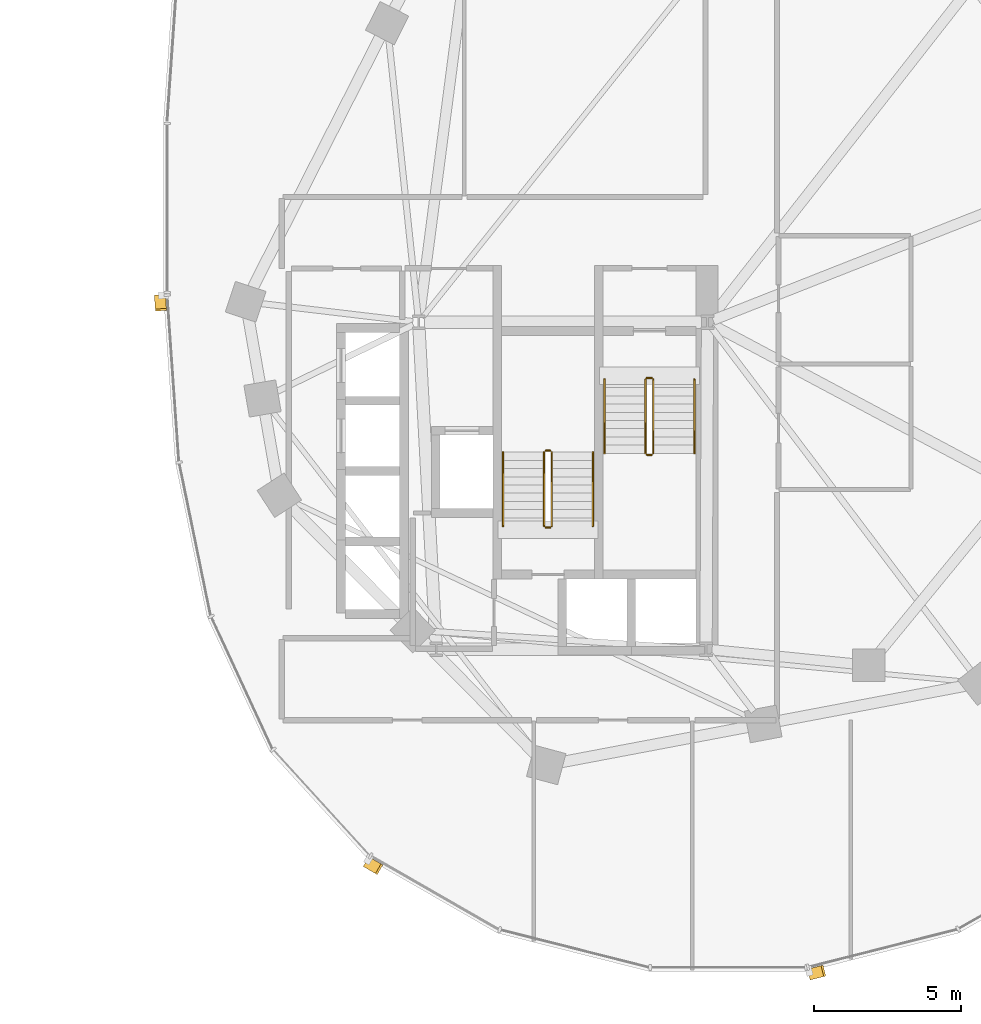
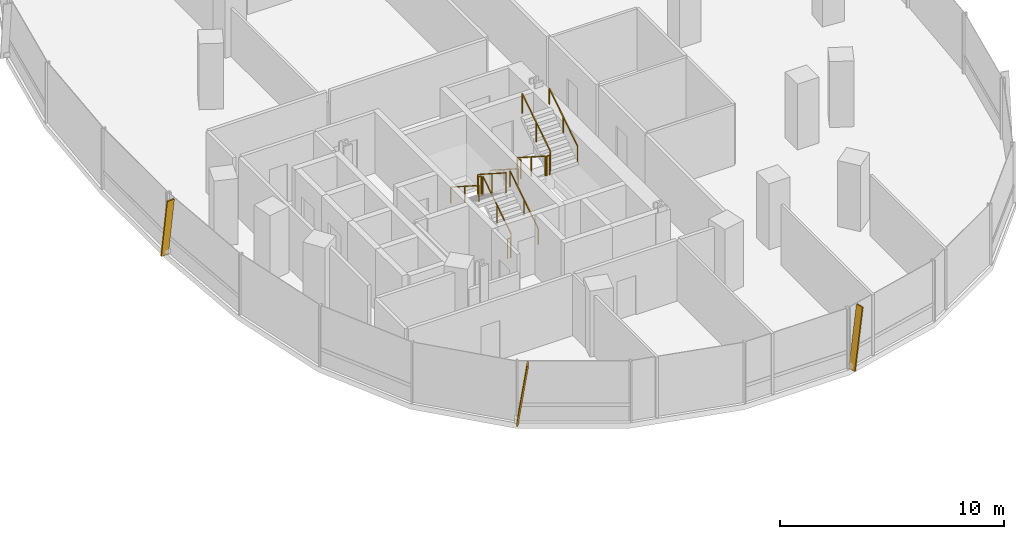
# One storey, part 19 of 20: 12 railings, 3 shading devices.
"""IFC4 building model written with IfcOpenShell, lengths in metres."""

import ifcopenshell
import ifcopenshell.guid

model = None  # the IFC model being written
_history = None  # IfcOwnerHistory: only IFC2X3 demands one
_inside = {}  # id of a spatial element -> (the spatial element, [elements in it])
_under = {}  # id of a project, library or spatial element -> (it, [spatial elements below it])
_declared = {}  # id of a project -> (the project, [libraries it declares])
_typed = {}  # id of a type object -> (the type object, [elements of that type])
_made_of = {}  # id of a material, layer set ... -> (it, [elements and type objects made of it])


def new_model(schema):
    """Start an empty IFC model of exactly this schema.

    Asked for "IFC4X3", IfcOpenShell would pick the latest addendum, in which some entities
    have other attributes; the version numbers below select the first issue.
    IFC2X3 requires an IfcOwnerHistory on every rooted entity: one is made here for all.
    """
    global model, _history
    if schema == "IFC4X3":
        model = ifcopenshell.file(schema_version=(4, 3, 0, 0))
    else:
        model = ifcopenshell.file(schema=schema)
    _inside.clear()
    _under.clear()
    _declared.clear()
    _typed.clear()
    _made_of.clear()
    _history = None
    if model.schema == "IFC2X3":
        org = make("IfcOrganization", Name="unknown")
        user = make(
            "IfcPersonAndOrganization",
            ThePerson=make("IfcPerson", FamilyName="unknown"),
            TheOrganization=org,
        )
        app = make(
            "IfcApplication",
            ApplicationDeveloper=org,
            Version="unknown",
            ApplicationFullName="unknown",
            ApplicationIdentifier="unknown",
        )
        _history = make(
            "IfcOwnerHistory",
            OwningUser=user,
            OwningApplication=app,
            ChangeAction="ADDED",
            CreationDate=0,
        )
    return model


def make(cls, **values):
    """One entity of the class cls with the attributes given. An attribute that is None is left unset."""
    return model.create_entity(
        cls, **{name: value for name, value in values.items() if value is not None}
    )


def rooted(cls, **values):
    """An entity with a GlobalId (a new one), such as an element, a storey or a relation."""
    return make(cls, GlobalId=ifcopenshell.guid.new(), OwnerHistory=_history, **values)


def si_unit(unit_type, name, prefix=None):
    """IfcSIUnit, for example si_unit("LENGTHUNIT", "METRE", prefix="MILLI")."""
    return make("IfcSIUnit", UnitType=unit_type, Prefix=prefix, Name=name)


def assignment(units):
    """IfcUnitAssignment: the units of a project."""
    return None if units is None else make("IfcUnitAssignment", Units=units)


def point(xyz):
    """IfcCartesianPoint."""
    return None if xyz is None else make("IfcCartesianPoint", Coordinates=xyz)


def direction(xyz):
    """IfcDirection."""
    return None if xyz is None else make("IfcDirection", DirectionRatios=xyz)


def frame(location, z_axis=None, x_axis=None):
    """IfcAxis2Placement3D, a coordinate frame: its origin and axes. An axis left out is left unset."""
    return make(
        "IfcAxis2Placement3D",
        Location=point(location),
        Axis=direction(z_axis),
        RefDirection=direction(x_axis),
    )


def frame_2d(location, x_axis=None):
    """IfcAxis2Placement2D, a coordinate frame in the plane: its origin and x axis."""
    return make(
        "IfcAxis2Placement2D", Location=point(location), RefDirection=direction(x_axis)
    )


def origin():
    """The frame at (0, 0, 0) with its axes left unset."""
    return frame((0.0, 0.0, 0.0))


def origin_2d():
    """The frame at (0, 0) in the plane with its x axis left unset."""
    return frame_2d((0.0, 0.0))


def place(relative_to, where):
    """IfcLocalPlacement: puts the frame where relative to a parent placement (None: the world)."""
    return make(
        "IfcLocalPlacement", PlacementRelTo=relative_to, RelativePlacement=where
    )


def context(
    kind, dimensions, precision=None, world=None, true_north=None, identifier=None
):
    """IfcGeometricRepresentationContext, for example the 3D "Model" context."""
    return make(
        "IfcGeometricRepresentationContext",
        ContextIdentifier=identifier,
        ContextType=kind,
        CoordinateSpaceDimension=dimensions,
        Precision=precision,
        WorldCoordinateSystem=world,
        TrueNorth=true_north,
    )


def subcontext(parent, identifier, kind, view, scale=None):
    """IfcGeometricRepresentationSubContext, for example "Body" below "Model"."""
    return make(
        "IfcGeometricRepresentationSubContext",
        ContextIdentifier=identifier,
        ContextType=kind,
        ParentContext=parent,
        TargetScale=scale,
        TargetView=view,
    )


def project(units=None, contexts=None):
    """IfcProject with its units and contexts."""
    return rooted(
        "IfcProject",
        Name="project",
        RepresentationContexts=contexts,
        UnitsInContext=assignment(units),
    )


def spatial(cls, under=None, at=None, **own):
    """A site, building, storey or space (cls), placed at a placement, below another one or the project."""
    s = rooted(cls, ObjectPlacement=at, **own)
    if under is not None:
        _under.setdefault(under.id(), (under, []))[1].append(s)
    return s


def profile(cls, at=None, kind="AREA", **sizes):
    """A parametric profile (cls). Its sizes go by their IFC names, for example OverallWidth=200.0."""
    return make(cls, ProfileType=kind, Position=at, **sizes)


def rectangle(**sizes):
    """IfcRectangleProfileDef."""
    return profile("IfcRectangleProfileDef", **sizes)


def extrude(swept, where, along, depth):
    """IfcExtrudedAreaSolid: the profile swept, set in the frame where, extruded along a direction by depth."""
    return make(
        "IfcExtrudedAreaSolid",
        SweptArea=swept,
        Position=where,
        ExtrudedDirection=direction(along),
        Depth=depth,
    )


def shape(context_of_items, identifier, shape_type, items):
    """IfcShapeRepresentation: the items that make up one representation, for example the "Body"."""
    return make(
        "IfcShapeRepresentation",
        ContextOfItems=context_of_items,
        RepresentationIdentifier=identifier,
        RepresentationType=shape_type,
        Items=items,
    )


def material(Name=None, Category=None):
    """IfcMaterial."""
    return make("IfcMaterial", Name=Name, Category=Category)


def material_profile(
    of_material, cross_section, Name=None, Category=None, Priority=None
):
    """IfcMaterialProfile: a cross section and its material."""
    return make(
        "IfcMaterialProfile",
        Name=Name,
        Material=of_material,
        Profile=cross_section,
        Priority=Priority,
        Category=Category,
    )


def profile_set(profiles, Name=None, composite=None):
    """IfcMaterialProfileSet."""
    return make(
        "IfcMaterialProfileSet",
        Name=Name,
        MaterialProfiles=profiles,
        CompositeProfile=composite,
    )


def made_of(thing, what):
    """Note that an element or type object is made of a material, layer set ...; save() writes the relation."""
    if what is not None:
        _made_of.setdefault(what.id(), (what, []))[1].append(thing)
    return thing


def type_object(cls, material=None, **own):
    """A type object (cls), such as IfcWallType, which elements share."""
    return made_of(rooted(cls, **own), material)


def element(
    cls,
    number,
    at=None,
    inside=None,
    cuts=None,
    type_object=None,
    material=None,
    context=None,
    identifier="Body",
    shape_type=None,
    held_by="IfcProductDefinitionShape",
    body=None,
    shapes=None,
    **own,
):
    """One element of the class cls, such as IfcWall. Its Tag is "e" and its number.

    at: its placement. inside: the storey or other place that contains it. cuts: it is an
    opening in that element (IfcRelVoidsElement). A single representation is given by context,
    identifier, shape_type and body (its items); several are given by shapes. held_by: the class
    of the entity that holds the representations. save() writes the other relations.
    """
    e = rooted(cls, Tag="e%d" % number, ObjectPlacement=at, **own)
    if body is not None:
        shapes = [shape(context, identifier, shape_type, body)]
    if shapes is not None:
        e.Representation = make(held_by, Representations=shapes)
    if inside is not None:
        _inside.setdefault(inside.id(), (inside, []))[1].append(e)
    if cuts is not None:
        rooted(
            "IfcRelVoidsElement", RelatingBuildingElement=cuts, RelatedOpeningElement=e
        )
    if type_object is not None:
        _typed.setdefault(type_object.id(), (type_object, []))[1].append(e)
    return made_of(e, material)


def aggregate(whole, parts):
    """IfcRelAggregates: a whole, such as a stair, and the parts it consists of."""
    return rooted("IfcRelAggregates", RelatingObject=whole, RelatedObjects=parts)


def save(model, path):
    """Write the relations noted so far, then the file.

    IfcRelAggregates (storeys below a building ...), IfcRelContainedInSpatialStructure (elements
    in a storey), IfcRelDefinesByType, IfcRelAssociatesMaterial and IfcRelDeclares: one each for
    every whole, place, type object, material and project.
    """
    for whole, parts in _under.values():
        aggregate(whole, parts)
    for where, things in _inside.values():
        rooted(
            "IfcRelContainedInSpatialStructure",
            RelatedElements=things,
            RelatingStructure=where,
        )
    for kind, things in _typed.values():
        rooted("IfcRelDefinesByType", RelatedObjects=things, RelatingType=kind)
    for what, things in _made_of.values():
        rooted("IfcRelAssociatesMaterial", RelatedObjects=things, RelatingMaterial=what)
    for by, libraries in _declared.values():
        rooted("IfcRelDeclares", RelatingContext=by, RelatedDefinitions=libraries)
    model.write(path)


model = new_model("IFC4")

# Units and contexts
model_context = context("Model", 3, precision=1e-05, world=origin(), true_north=direction((0.0, 1.0)))
body_context = subcontext(model_context, "Body", "Model", "MODEL_VIEW")
ifc_project = project(units=[si_unit("LENGTHUNIT", "METRE"), si_unit("AREAUNIT", "SQUARE_METRE"), si_unit("VOLUMEUNIT", "CUBIC_METRE"), si_unit("PLANEANGLEUNIT", "RADIAN"), si_unit("MASSUNIT", "GRAM", prefix="KILO"), si_unit("THERMODYNAMICTEMPERATUREUNIT", "KELVIN"), si_unit("POWERUNIT", "WATT")], contexts=[model_context])

# Site, building, storey
site_placement = place(None, origin())
site = spatial("IfcSite", under=ifc_project, at=site_placement, CompositionType="ELEMENT")
building_placement = place(site_placement, origin())
building = spatial("IfcBuilding", under=site, at=building_placement, Name="Cundina Bronze Exchange", CompositionType="ELEMENT")
storey_placement = place(building_placement, frame((0.0, 0.0, 128.60009765625)))
storey = spatial("IfcBuildingStorey", under=building, at=storey_placement, Name="L33", CompositionType="ELEMENT", Elevation=128.60009765625)

# Railings
ifc_material_1 = material(Name="Steel ASTM A36 Painted", Category="steel")
railing_type_1 = type_object("IfcRailingType", Name="RLG-HND-900", PredefinedType="HANDRAIL", material=ifc_material_1)
railing_1_placement = place(storey_placement, frame((27.7900390625, -5.85009765625, 0.179931640625)))
element("IfcRailing", 1, at=railing_1_placement, inside=storey, type_object=railing_type_1, Name="L33 ST-E1 stair handrail 1", PredefinedType="HANDRAIL", context=body_context, shape_type="SweptSolid", body=[
    extrude(rectangle(XDim=0.048095703125, YDim=0.048095703125, at=origin_2d()), frame((0.0, 0.0, 0.8759765625), z_axis=(0.0, -0.841199657755, 0.540724639528), x_axis=(1.0, 0.0, 0.0)), (0.0, 0.0, 1.0), 2.995849609375),
    extrude(rectangle(XDim=0.0419921875, YDim=0.0419921875, at=origin_2d()), origin(), (0.0, 0.0, 1.0), 0.851806640625),
    extrude(rectangle(XDim=0.0419921875, YDim=0.0419921875, at=origin_2d()), frame((0.0, -1.260009765625, 0.81005859375)), (0.0, 0.0, 1.0), 0.851806640625),
    extrude(rectangle(XDim=0.0419921875, YDim=0.0419921875, at=origin_2d()), frame((0.0, -2.52001953125, 1.619873046875)), (0.0, 0.0, 1.0), 0.851806640625),
])
for number, where, name in (
    (2, (30.85009765625, -8.3701171875, 1.97998046875), "L33 ST-E1 stair handrail 2"),
    (3, (27.389892578125, -10.85009765625, 0.179931640625), "L33 ST-E2 stair handrail 1"),
):
    element("IfcRailing", number, at=place(storey_placement, frame(where)), inside=storey, type_object=railing_type_1, Name=name, PredefinedType="HANDRAIL", context=body_context, shape_type="SweptSolid", body=[
        extrude(rectangle(XDim=0.048095703125, YDim=0.048095703125, at=origin_2d()), frame((0.0, 0.0, 0.8759765625), z_axis=(0.0, 0.841199657755, 0.540724639528), x_axis=(-1.0, 0.0, 0.0)), (0.0, 0.0, 1.0), 2.995849609375),
        extrude(rectangle(XDim=0.0419921875, YDim=0.0419921875, at=origin_2d()), origin(), (0.0, 0.0, 1.0), 0.851806640625),
        extrude(rectangle(XDim=0.0419921875, YDim=0.0419921875, at=origin_2d()), frame((0.0, 1.260009765625, 0.81005859375)), (0.0, 0.0, 1.0), 0.851806640625),
        extrude(rectangle(XDim=0.0419921875, YDim=0.0419921875, at=origin_2d()), frame((0.0, 2.52001953125, 1.619873046875)), (0.0, 0.0, 1.0), 0.851806640625),
    ])
railing_2_placement = place(storey_placement, frame((24.330078125, -8.330078125, 1.97998046875)))
element("IfcRailing", 4, at=railing_2_placement, inside=storey, type_object=railing_type_1, Name="L33 ST-E2 stair handrail 2", PredefinedType="HANDRAIL", context=body_context, shape_type="SweptSolid", body=[
    extrude(rectangle(XDim=0.048095703125, YDim=0.048095703125, at=origin_2d()), frame((0.0, 0.0, 0.8759765625), z_axis=(0.0, -0.841199657755, 0.540724639528), x_axis=(1.0, 0.0, 0.0)), (0.0, 0.0, 1.0), 2.995849609375),
    extrude(rectangle(XDim=0.0419921875, YDim=0.0419921875, at=origin_2d()), origin(), (0.0, 0.0, 1.0), 0.851806640625),
    extrude(rectangle(XDim=0.0419921875, YDim=0.0419921875, at=origin_2d()), frame((0.0, -1.260009765625, 0.81005859375)), (0.0, 0.0, 1.0), 0.851806640625),
    extrude(rectangle(XDim=0.0419921875, YDim=0.0419921875, at=origin_2d()), frame((0.0, -2.52001953125, 1.619873046875)), (0.0, 0.0, 1.0), 0.851806640625),
])
railing_type_2 = type_object("IfcRailingType", Name="RLG-STG-1100", PredefinedType="GUARDRAIL", material=ifc_material_1)
railing_3_placement = place(storey_placement, frame((29.18994140625, -5.85009765625, 0.179931640625)))
element("IfcRailing", 5, at=railing_3_placement, inside=storey, type_object=railing_type_2, Name="L33 ST-E1 stair guard 1", PredefinedType="GUARDRAIL", context=body_context, shape_type="SweptSolid", body=[
    extrude(rectangle(XDim=0.048095703125, YDim=0.048095703125, at=origin_2d()), frame((0.0, 0.0, 1.076171875), z_axis=(0.0, -0.841199657755, 0.540724639528), x_axis=(1.0, 0.0, 0.0)), (0.0, 0.0, 1.0), 2.995849609375),
    extrude(rectangle(XDim=0.0419921875, YDim=0.0419921875, at=origin_2d()), origin(), (0.0, 0.0, 1.0), 1.052001953125),
    extrude(rectangle(XDim=0.0419921875, YDim=0.0419921875, at=origin_2d()), frame((0.0, -1.260009765625, 0.81005859375)), (0.0, 0.0, 1.0), 1.052001953125),
    extrude(rectangle(XDim=0.0419921875, YDim=0.0419921875, at=origin_2d()), frame((0.0, -2.52001953125, 1.619873046875)), (0.0, 0.0, 1.0), 1.052001953125),
])
railing_4_placement = place(storey_placement, frame((29.239990234375, -8.419921875, 1.7998046875)))
element("IfcRailing", 6, at=railing_4_placement, inside=storey, type_object=railing_type_2, Name="L33 ST-E1 stair guard 2", PredefinedType="GUARDRAIL", context=body_context, shape_type="SweptSolid", body=[
    extrude(rectangle(XDim=0.048095703125, YDim=0.048095703125, at=origin_2d()), frame((0.0, 0.0, 1.076171875), z_axis=(1.0, 0.0, 0.0), x_axis=(0.0, 1.0, 0.0)), (0.0, 0.0, 1.0), 0.159912109375),
    extrude(rectangle(XDim=0.0419921875, YDim=0.0419921875, at=origin_2d()), origin(), (0.0, 0.0, 1.0), 1.052001953125),
    extrude(rectangle(XDim=0.0419921875, YDim=0.0419921875, at=origin_2d()), frame((0.159912109375, 0.0, 0.0)), (0.0, 0.0, 1.0), 1.052001953125),
])
railing_5_placement = place(storey_placement, frame((29.449951171875, -8.3701171875, 1.97998046875)))
element("IfcRailing", 7, at=railing_5_placement, inside=storey, type_object=railing_type_2, Name="L33 ST-E1 stair guard 3", PredefinedType="GUARDRAIL", context=body_context, shape_type="SweptSolid", body=[
    extrude(rectangle(XDim=0.048095703125, YDim=0.048095703125, at=origin_2d()), frame((0.0, 0.0, 1.076171875), z_axis=(0.0, 0.841199657755, 0.540724639528), x_axis=(-1.0, 0.0, 0.0)), (0.0, 0.0, 1.0), 2.995849609375),
    extrude(rectangle(XDim=0.0419921875, YDim=0.0419921875, at=origin_2d()), origin(), (0.0, 0.0, 1.0), 1.052001953125),
    extrude(rectangle(XDim=0.0419921875, YDim=0.0419921875, at=origin_2d()), frame((0.0, 1.260009765625, 0.81005859375)), (0.0, 0.0, 1.0), 1.052001953125),
    extrude(rectangle(XDim=0.0419921875, YDim=0.0419921875, at=origin_2d()), frame((0.0, 2.52001953125, 1.619873046875)), (0.0, 0.0, 1.0), 1.052001953125),
])
railing_6_placement = place(storey_placement, frame((29.239990234375, -5.800048828125, 0.0)))
element("IfcRailing", 8, at=railing_6_placement, inside=storey, type_object=railing_type_2, Name="L33 ST-E1 stair guard 4", PredefinedType="GUARDRAIL", context=body_context, shape_type="SweptSolid", body=[
    extrude(rectangle(XDim=0.048095703125, YDim=0.048095703125, at=origin_2d()), frame((0.0, 0.0, 1.076171875), z_axis=(1.0, 0.0, 0.0), x_axis=(0.0, 1.0, 0.0)), (0.0, 0.0, 1.0), 0.159912109375),
    extrude(rectangle(XDim=0.0419921875, YDim=0.0419921875, at=origin_2d()), origin(), (0.0, 0.0, 1.0), 1.052001953125),
    extrude(rectangle(XDim=0.0419921875, YDim=0.0419921875, at=origin_2d()), frame((0.159912109375, 0.0, 0.0)), (0.0, 0.0, 1.0), 1.052001953125),
])
railing_7_placement = place(storey_placement, frame((25.989990234375, -10.85009765625, 0.179931640625)))
element("IfcRailing", 9, at=railing_7_placement, inside=storey, type_object=railing_type_2, Name="L33 ST-E2 stair guard 1", PredefinedType="GUARDRAIL", context=body_context, shape_type="SweptSolid", body=[
    extrude(rectangle(XDim=0.048095703125, YDim=0.048095703125, at=origin_2d()), frame((0.0, 0.0, 1.076171875), z_axis=(0.0, 0.841199657755, 0.540724639528), x_axis=(-1.0, 0.0, 0.0)), (0.0, 0.0, 1.0), 2.995849609375),
    extrude(rectangle(XDim=0.0419921875, YDim=0.0419921875, at=origin_2d()), origin(), (0.0, 0.0, 1.0), 1.052001953125),
    extrude(rectangle(XDim=0.0419921875, YDim=0.0419921875, at=origin_2d()), frame((0.0, 1.260009765625, 0.81005859375)), (0.0, 0.0, 1.0), 1.052001953125),
    extrude(rectangle(XDim=0.0419921875, YDim=0.0419921875, at=origin_2d()), frame((0.0, 2.52001953125, 1.619873046875)), (0.0, 0.0, 1.0), 1.052001953125),
])
railing_8_placement = place(storey_placement, frame((25.93994140625, -8.280029296875, 1.7998046875)))
element("IfcRailing", 10, at=railing_8_placement, inside=storey, type_object=railing_type_2, Name="L33 ST-E2 stair guard 2", PredefinedType="GUARDRAIL", context=body_context, shape_type="SweptSolid", body=[
    extrude(rectangle(XDim=0.048095703125, YDim=0.048095703125, at=origin_2d()), frame((0.0, 0.0, 1.076171875), z_axis=(-1.0, 0.0, 0.0), x_axis=(0.0, -1.0, 0.0)), (0.0, 0.0, 1.0), 0.159912109375),
    extrude(rectangle(XDim=0.0419921875, YDim=0.0419921875, at=origin_2d()), origin(), (0.0, 0.0, 1.0), 1.052001953125),
    extrude(rectangle(XDim=0.0419921875, YDim=0.0419921875, at=origin_2d()), frame((-0.159912109375, 0.0, 0.0)), (0.0, 0.0, 1.0), 1.052001953125),
])
railing_9_placement = place(storey_placement, frame((25.72998046875, -8.330078125, 1.97998046875)))
element("IfcRailing", 11, at=railing_9_placement, inside=storey, type_object=railing_type_2, Name="L33 ST-E2 stair guard 3", PredefinedType="GUARDRAIL", context=body_context, shape_type="SweptSolid", body=[
    extrude(rectangle(XDim=0.048095703125, YDim=0.048095703125, at=origin_2d()), frame((0.0, 0.0, 1.076171875), z_axis=(0.0, -0.841199657755, 0.540724639528), x_axis=(1.0, 0.0, 0.0)), (0.0, 0.0, 1.0), 2.995849609375),
    extrude(rectangle(XDim=0.0419921875, YDim=0.0419921875, at=origin_2d()), origin(), (0.0, 0.0, 1.0), 1.052001953125),
    extrude(rectangle(XDim=0.0419921875, YDim=0.0419921875, at=origin_2d()), frame((0.0, -1.260009765625, 0.81005859375)), (0.0, 0.0, 1.0), 1.052001953125),
    extrude(rectangle(XDim=0.0419921875, YDim=0.0419921875, at=origin_2d()), frame((0.0, -2.52001953125, 1.619873046875)), (0.0, 0.0, 1.0), 1.052001953125),
])
railing_10_placement = place(storey_placement, frame((25.93994140625, -10.89990234375, 0.0)))
element("IfcRailing", 12, at=railing_10_placement, inside=storey, type_object=railing_type_2, Name="L33 ST-E2 stair guard 4", PredefinedType="GUARDRAIL", context=body_context, shape_type="SweptSolid", body=[
    extrude(rectangle(XDim=0.048095703125, YDim=0.048095703125, at=origin_2d()), frame((0.0, 0.0, 1.076171875), z_axis=(-1.0, 0.0, 0.0), x_axis=(0.0, -1.0, 0.0)), (0.0, 0.0, 1.0), 0.159912109375),
    extrude(rectangle(XDim=0.0419921875, YDim=0.0419921875, at=origin_2d()), origin(), (0.0, 0.0, 1.0), 1.052001953125),
    extrude(rectangle(XDim=0.0419921875, YDim=0.0419921875, at=origin_2d()), frame((-0.159912109375, 0.0, 0.0)), (0.0, 0.0, 1.0), 1.052001953125),
])

# Shading devices
ifc_material_2 = material(Name="Anodised Bronze Aluminium 6063-T6", Category="aluminium")
ifc_material_profile = material_profile(ifc_material_2, rectangle(XDim=0.070068359375, YDim=0.3798828125, at=origin_2d()), Name="FIN70X380", Category="aluminium")
ifc_profile_set = profile_set([ifc_material_profile], Name="Anodised Bronze Aluminium 6063-T6")
shading_device_type = type_object("IfcShadingDeviceType", Name="SHD-FIN-BRZ380", PredefinedType="USERDEFINED", material=ifc_profile_set)
for number, where, z_axis, x_axis, name in (
    (13, (12.6259765625, -2.993896484375, 0.02001953125), (0.010164193442, -0.144434661884, 0.989462135515), (-0.069458909021, 0.987021163692, 0.144791858824), "L33 Diagonal Bronze Solar Fin 1"),
    (14, (19.685791015625, -22.314208984375, 0.02001953125), (0.125579039611, -0.072106674357, 0.989459717383), (-0.858067736109, 0.492696958153, 0.144808382618), "L33 Diagonal Bronze Solar Fin 5"),
    (15, (34.787353515625, -26.138427734375, 0.02001953125), (0.140383488658, 0.035500966177, 0.989460538633), (-0.959262874254, -0.242583790866, 0.144802770993), "L33 Diagonal Bronze Solar Fin 1"),
):
    element("IfcShadingDevice", number, at=place(storey_placement, frame(where, z_axis=z_axis, x_axis=x_axis)), inside=storey, type_object=shading_device_type, Name=name, ObjectType="FIN", PredefinedType="USERDEFINED", context=body_context, shape_type="SweptSolid", body=[
        extrude(rectangle(XDim=0.070068359375, YDim=0.3798828125, at=origin_2d()), origin(), (0.0, 0.0, 1.0), 3.314697265625),
    ])

save(model, "model.ifc")
